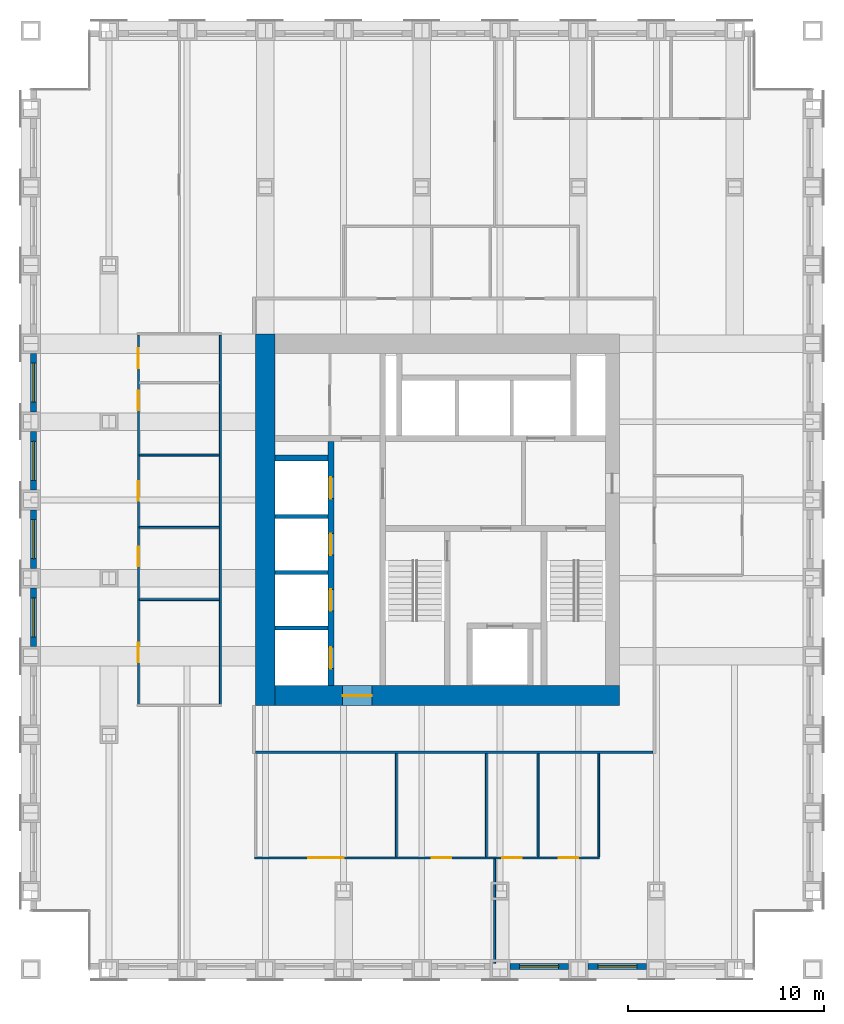
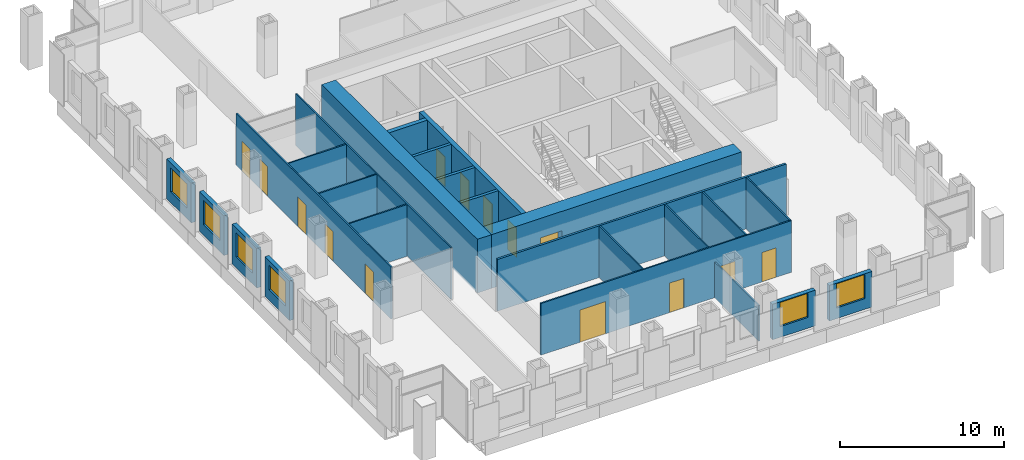
# One storey, part 8 of 12: 25 walls, 14 doors, 6 windows, 20 openings.
"""IFC4 building model written with IfcOpenShell, lengths in metres."""

from ifc_helpers import new_model, si_unit, direction, frame, frame_2d, origin, place, context, subcontext, project, spatial, rectangle, extrude, material, layer, layer_set, type_object, element, fill, save


model = new_model("IFC4")

# Units and contexts
model_context = context("Model", 3, precision=1e-05, world=origin(), true_north=direction((0.0, 1.0)))
body_context = subcontext(model_context, "Body", "Model", "MODEL_VIEW")
ifc_project = project(units=[si_unit("LENGTHUNIT", "METRE"), si_unit("AREAUNIT", "SQUARE_METRE"), si_unit("VOLUMEUNIT", "CUBIC_METRE"), si_unit("PLANEANGLEUNIT", "RADIAN"), si_unit("MASSUNIT", "GRAM", prefix="KILO")], contexts=[model_context])

# Site, building, storey
site_placement = place(None, origin())
site = spatial("IfcSite", under=ifc_project, at=site_placement, CompositionType="ELEMENT")
building_placement = place(site_placement, origin())
building = spatial("IfcBuilding", under=site, at=building_placement, Name="Rimbunsela Tower", CompositionType="ELEMENT")
storey_placement = place(building_placement, frame((0.0, 0.0, 167.800048828125)))
storey = spatial("IfcBuildingStorey", under=building, at=storey_placement, Name="L40", CompositionType="ELEMENT", Elevation=167.800048828125)

# Wall, openings, doors
ifc_material_1 = material(Name="Concrete fc' 80 MPa", Category="concrete")
ifc_layer_1 = layer(ifc_material_1, 0.300048828125)
ifc_layer_set_1 = layer_set([ifc_layer_1], Name="Core internal wall 300")
wall_type_1 = type_object("IfcWallType", Name="Core internal wall 300", PredefinedType="SHEAR", material=ifc_layer_set_1)
wall_1_placement = place(storey_placement, frame((21.35009765625, 18.5, -0.150146484375), z_axis=(0.0, 0.0, 1.0), x_axis=(0.0, 1.0, 0.0)))
wall_1 = element("IfcWall", 1, at=wall_1_placement, inside=storey, type_object=wall_type_1, Name="Lift shaft front west", PredefinedType="SHEAR", context=body_context, shape_type="SweptSolid", body=[
    extrude(rectangle(XDim=12.5, YDim=0.300048828125, at=frame_2d((6.25, 0.0))), origin(), (0.0, 0.0, 1.0), 4.0),
])
opening_1_placement = place(wall_1_placement, frame((0.875, 0.0, 0.14990234375)))
opening_1 = element("IfcOpeningElement", 2, at=opening_1_placement, cuts=wall_1, Name="Opening LD1", PredefinedType="OPENING", context=body_context, shape_type="SweptSolid", body=[
    extrude(rectangle(XDim=1.10009765625, YDim=2.199951171875, at=frame_2d((0.550048828125, 1.10009765625))), frame((0.0, 0.159912109375, 0.0), z_axis=(0.0, -1.0, 0.0), x_axis=(1.0, 0.0, 0.0)), (0.0, 0.0, 1.0), 0.320068359375),
])
opening_2_placement = place(wall_1_placement, frame((3.824951171875, 0.0, 0.14990234375)))
opening_2 = element("IfcOpeningElement", 3, at=opening_2_placement, cuts=wall_1, Name="Opening LD1", PredefinedType="OPENING", context=body_context, shape_type="SweptSolid", body=[
    extrude(rectangle(XDim=1.10009765625, YDim=2.199951171875, at=frame_2d((0.550048828125, 1.10009765625))), frame((0.0, 0.159912109375, 0.0), z_axis=(0.0, -1.0, 0.0), x_axis=(1.0, 0.0, 0.0)), (0.0, 0.0, 1.0), 0.320068359375),
])
opening_3_placement = place(wall_1_placement, frame((6.675048828125, 0.0, 0.14990234375)))
opening_3 = element("IfcOpeningElement", 4, at=opening_3_placement, cuts=wall_1, Name="Opening LD1", PredefinedType="OPENING", context=body_context, shape_type="SweptSolid", body=[
    extrude(rectangle(XDim=1.10009765625, YDim=2.199951171875, at=frame_2d((0.550048828125, 1.10009765625))), frame((0.0, 0.159912109375, 0.0), z_axis=(0.0, -1.0, 0.0), x_axis=(1.0, 0.0, 0.0)), (0.0, 0.0, 1.0), 0.320068359375),
])
opening_4_placement = place(wall_1_placement, frame((9.574951171875, 0.0, 0.14990234375)))
opening_4 = element("IfcOpeningElement", 5, at=opening_4_placement, cuts=wall_1, Name="Opening LD1", PredefinedType="OPENING", context=body_context, shape_type="SweptSolid", body=[
    extrude(rectangle(XDim=1.10009765625, YDim=2.199951171875, at=frame_2d((0.550048828125, 1.10009765625))), frame((0.0, 0.159912109375, 0.0), z_axis=(0.0, -1.0, 0.0), x_axis=(1.0, 0.0, 0.0)), (0.0, 0.0, 1.0), 0.320068359375),
])
ifc_material_2 = material(Name="Steel door, fire rated", Category="steel")
door_type_1 = type_object("IfcDoorType", Name="Lift landing door 1100", OperationType="DOUBLE_DOOR_SLIDING", PredefinedType="DOOR", material=ifc_material_2)
door_1_placement = place(opening_1_placement, origin())
door_1 = element("IfcDoor", 6, at=door_1_placement, inside=storey, type_object=door_type_1, Name="Lift landing door HL1", OperationType="DOUBLE_DOOR_SLIDING", OverallHeight=2.199951171875, OverallWidth=1.10009765625, PredefinedType="DOOR", context=body_context, shape_type="SweptSolid", body=[
    extrude(rectangle(XDim=1.10009765625, YDim=2.199951171875, at=frame_2d((0.550048828125, 1.10009765625))), frame((0.0, 0.02490234375, 0.0), z_axis=(0.0, -1.0, 0.0), x_axis=(1.0, 0.0, 0.0)), (0.0, 0.0, 1.0), 0.050048828125),
])
fill(opening_1, door_1)
door_2_placement = place(opening_2_placement, origin())
door_2 = element("IfcDoor", 7, at=door_2_placement, inside=storey, type_object=door_type_1, Name="Lift landing door HL2", OperationType="DOUBLE_DOOR_SLIDING", OverallHeight=2.199951171875, OverallWidth=1.10009765625, PredefinedType="DOOR", context=body_context, shape_type="SweptSolid", body=[
    extrude(rectangle(XDim=1.10009765625, YDim=2.199951171875, at=frame_2d((0.550048828125, 1.10009765625))), frame((0.0, 0.02490234375, 0.0), z_axis=(0.0, -1.0, 0.0), x_axis=(1.0, 0.0, 0.0)), (0.0, 0.0, 1.0), 0.050048828125),
])
fill(opening_2, door_2)
door_3_placement = place(opening_3_placement, origin())
door_3 = element("IfcDoor", 8, at=door_3_placement, inside=storey, type_object=door_type_1, Name="Lift landing door HL3", OperationType="DOUBLE_DOOR_SLIDING", OverallHeight=2.199951171875, OverallWidth=1.10009765625, PredefinedType="DOOR", context=body_context, shape_type="SweptSolid", body=[
    extrude(rectangle(XDim=1.10009765625, YDim=2.199951171875, at=frame_2d((0.550048828125, 1.10009765625))), frame((0.0, 0.02490234375, 0.0), z_axis=(0.0, -1.0, 0.0), x_axis=(1.0, 0.0, 0.0)), (0.0, 0.0, 1.0), 0.050048828125),
])
fill(opening_3, door_3)
door_4_placement = place(opening_4_placement, origin())
door_4 = element("IfcDoor", 9, at=door_4_placement, inside=storey, type_object=door_type_1, Name="Lift landing door HL4", OperationType="DOUBLE_DOOR_SLIDING", OverallHeight=2.199951171875, OverallWidth=1.10009765625, PredefinedType="DOOR", context=body_context, shape_type="SweptSolid", body=[
    extrude(rectangle(XDim=1.10009765625, YDim=2.199951171875, at=frame_2d((0.550048828125, 1.10009765625))), frame((0.0, 0.02490234375, 0.0), z_axis=(0.0, -1.0, 0.0), x_axis=(1.0, 0.0, 0.0)), (0.0, 0.0, 1.0), 0.050048828125),
])
fill(opening_4, door_4)

# Walls
wall_2_placement = place(storey_placement, frame((18.5, 30.14990234375, -0.150146484375), z_axis=(0.0, 0.0, 1.0), x_axis=(1.0, 0.0, 0.0)))
element("IfcWall", 10, at=wall_2_placement, inside=storey, type_object=wall_type_1, Name="Lift shaft rear west", PredefinedType="SHEAR", context=body_context, shape_type="SweptSolid", body=[
    extrude(rectangle(XDim=2.699951171875, YDim=0.300048828125, at=frame_2d((1.35009765625, 0.0))), origin(), (0.0, 0.0, 1.0), 4.0),
])
ifc_material_3 = material(Name="Concrete fc' 80 MPa", Category="concrete")
ifc_layer_2 = layer(ifc_material_3, 1.0)
ifc_layer_set_2 = layer_set([ifc_layer_2], Name="Core wall 1000")
wall_type_2 = type_object("IfcWallType", Name="Core wall 1000", PredefinedType="SHEAR", material=ifc_layer_set_2)
wall_3_placement = place(storey_placement, frame((18.0, 17.5, -0.150146484375), z_axis=(0.0, 0.0, 1.0), x_axis=(0.0, 1.0, 0.0)))
element("IfcWall", 11, at=wall_3_placement, inside=storey, type_object=wall_type_2, Name="Core wall west", PredefinedType="SHEAR", context=body_context, shape_type="SweptSolid", body=[
    extrude(rectangle(XDim=19.0, YDim=1.0, at=frame_2d((9.5, 0.0))), origin(), (0.0, 0.0, 1.0), 4.0),
])

# Wall, opening, door
wall_4_placement = place(storey_placement, frame((18.5, 18.0, -0.150146484375), z_axis=(0.0, 0.0, 1.0), x_axis=(1.0, 0.0, 0.0)))
wall_4 = element("IfcWall", 12, at=wall_4_placement, inside=storey, type_object=wall_type_2, Name="Core wall south", PredefinedType="SHEAR", context=body_context, shape_type="SweptSolid", body=[
    extrude(rectangle(XDim=17.60009765625, YDim=1.0, at=frame_2d((8.800048828125, 0.0))), origin(), (0.0, 0.0, 1.0), 4.0),
])
opening_5_placement = place(wall_4_placement, frame((3.449951171875, 0.0, 0.14990234375)))
opening_5 = element("IfcOpeningElement", 13, at=opening_5_placement, cuts=wall_4, Name="Opening D03", PredefinedType="OPENING", context=body_context, shape_type="SweptSolid", body=[
    extrude(rectangle(XDim=1.5, YDim=2.39990234375, at=frame_2d((0.75, 1.199951171875))), frame((0.0, 0.510009765625, 0.0), z_axis=(0.0, -1.0, 0.0), x_axis=(1.0, 0.0, 0.0)), (0.0, 0.0, 1.0), 1.02001953125),
])
ifc_material_4 = material(Name="Steel door, fire rated", Category="steel")
door_type_2 = type_object("IfcDoorType", Name="Core lobby door 1500", OperationType="DOUBLE_DOOR_DOUBLE_SWING", PredefinedType="DOOR", material=ifc_material_4)
door_5_placement = place(opening_5_placement, origin())
door_5 = element("IfcDoor", 14, at=door_5_placement, inside=storey, type_object=door_type_2, Name="Core door south", OperationType="DOUBLE_DOOR_DOUBLE_SWING", OverallHeight=2.39990234375, OverallWidth=1.5, PredefinedType="DOOR", context=body_context, shape_type="SweptSolid", body=[
    extrude(rectangle(XDim=1.5, YDim=2.39990234375, at=frame_2d((0.75, 1.199951171875))), frame((0.0, 0.02490234375, 0.0), z_axis=(0.0, -1.0, 0.0), x_axis=(1.0, 0.0, 0.0)), (0.0, 0.0, 1.0), 0.050048828125),
])
fill(opening_5, door_5)

# Walls
ifc_material_5 = material(Name="Concrete blockwork", Category="masonry")
ifc_layer_3 = layer(ifc_material_5, 0.199951171875)
ifc_layer_set_3 = layer_set([ifc_layer_3], Name="Lift shaft wall 200")
wall_type_3 = type_object("IfcWallType", Name="Lift shaft wall 200", PredefinedType="SOLIDWALL", material=ifc_layer_set_3)
for number, where, z_axis, x_axis, name in (
    (15, (18.5, 21.449951171875, -0.150146484375), (0.0, 0.0, 1.0), (1.0, 0.0, 0.0), "Lift shaft separation"),
    (16, (18.5, 24.300048828125, -0.150146484375), (0.0, 0.0, 1.0), (1.0, 0.0, 0.0), "Lift shaft separation"),
    (17, (18.5, 27.14990234375, -0.150146484375), (0.0, 0.0, 1.0), (1.0, 0.0, 0.0), "Lift shaft separation"),
):
    element("IfcWall", number, at=place(storey_placement, frame(where, z_axis=z_axis, x_axis=x_axis)), inside=storey, type_object=wall_type_3, Name=name, PredefinedType="SOLIDWALL", context=body_context, shape_type="SweptSolid", body=[
        extrude(rectangle(XDim=2.699951171875, YDim=0.199951171875, at=frame_2d((1.35009765625, 0.0))), origin(), (0.0, 0.0, 1.0), 4.0),
    ])

# Wall, openings, doors
ifc_material_6 = material(Name="Gypsum board on steel studs", Category="steel")
ifc_layer_4 = layer(ifc_material_6, 0.10009765625)
ifc_layer_set_4 = layer_set([ifc_layer_4], Name="Office partition 100")
wall_type_4 = type_object("IfcWallType", Name="Office partition 100", PredefinedType="PARTITIONING", material=ifc_layer_set_4)
wall_5_placement = place(storey_placement, frame((17.449951171875, 9.699951171875, 0.0), z_axis=(0.0, 0.0, 1.0), x_axis=(1.0, 0.0, 0.0)))
wall_5 = element("IfcWall", 18, at=wall_5_placement, inside=storey, type_object=wall_type_4, Name="Office partition", PredefinedType="PARTITIONING", context=body_context, shape_type="SweptSolid", body=[
    extrude(rectangle(XDim=17.650146484375, YDim=0.10009765625, at=frame_2d((8.8251953125, 0.0))), origin(), (0.0, 0.0, 1.0), 3.849853515625),
])
opening_6_placement = place(wall_5_placement, frame((2.75, 0.0, 0.0)))
opening_6 = element("IfcOpeningElement", 19, at=opening_6_placement, cuts=wall_5, Name="Opening D18", PredefinedType="OPENING", context=body_context, shape_type="SweptSolid", body=[
    extrude(rectangle(XDim=1.800048828125, YDim=2.39990234375, at=frame_2d((0.89990234375, 1.199951171875))), frame((0.0, 0.06005859375, 0.0), z_axis=(0.0, -1.0, 0.0), x_axis=(1.0, 0.0, 0.0)), (0.0, 0.0, 1.0), 0.1201171875),
])
opening_7_placement = place(wall_5_placement, frame((9.050048828125, 0.0, 0.0)))
opening_7 = element("IfcOpeningElement", 20, at=opening_7_placement, cuts=wall_5, Name="Opening D16", PredefinedType="OPENING", context=body_context, shape_type="SweptSolid", body=[
    extrude(rectangle(XDim=1.0, YDim=2.199951171875, at=frame_2d((0.5, 1.10009765625))), frame((0.0, 0.06005859375, 0.0), z_axis=(0.0, -1.0, 0.0), x_axis=(1.0, 0.0, 0.0)), (0.0, 0.0, 1.0), 0.1201171875),
])
opening_8_placement = place(wall_5_placement, frame((12.675048828125, 0.0, 0.0)))
opening_8 = element("IfcOpeningElement", 21, at=opening_8_placement, cuts=wall_5, Name="Opening D16", PredefinedType="OPENING", context=body_context, shape_type="SweptSolid", body=[
    extrude(rectangle(XDim=1.0, YDim=2.199951171875, at=frame_2d((0.5, 1.10009765625))), frame((0.0, 0.06005859375, 0.0), z_axis=(0.0, -1.0, 0.0), x_axis=(1.0, 0.0, 0.0)), (0.0, 0.0, 1.0), 0.1201171875),
])
opening_9_placement = place(wall_5_placement, frame((15.550048828125, 0.0, 0.0)))
opening_9 = element("IfcOpeningElement", 22, at=opening_9_placement, cuts=wall_5, Name="Opening D16", PredefinedType="OPENING", context=body_context, shape_type="SweptSolid", body=[
    extrude(rectangle(XDim=1.0, YDim=2.199951171875, at=frame_2d((0.5, 1.10009765625))), frame((0.0, 0.06005859375, 0.0), z_axis=(0.0, -1.0, 0.0), x_axis=(1.0, 0.0, 0.0)), (0.0, 0.0, 1.0), 0.1201171875),
])
ifc_material_7 = material(Name="Glazed aluminium door", Category="aluminium")
door_type_3 = type_object("IfcDoorType", Name="Boardroom door 1800 glazed", OperationType="DOUBLE_DOOR_DOUBLE_SWING", PredefinedType="DOOR", material=ifc_material_7)
door_6_placement = place(opening_6_placement, origin())
door_6 = element("IfcDoor", 23, at=door_6_placement, inside=storey, type_object=door_type_3, Name="Boardroom door", OperationType="DOUBLE_DOOR_DOUBLE_SWING", OverallHeight=2.39990234375, OverallWidth=1.800048828125, PredefinedType="DOOR", context=body_context, shape_type="SweptSolid", body=[
    extrude(rectangle(XDim=1.800048828125, YDim=2.39990234375, at=frame_2d((0.89990234375, 1.199951171875))), frame((0.0, 0.02490234375, 0.0), z_axis=(0.0, -1.0, 0.0), x_axis=(1.0, 0.0, 0.0)), (0.0, 0.0, 1.0), 0.050048828125),
])
fill(opening_6, door_6)
ifc_material_8 = material(Name="Timber door", Category="wood")
door_type_4 = type_object("IfcDoorType", Name="Office door 1000", OperationType="SINGLE_SWING_LEFT", PredefinedType="DOOR", material=ifc_material_8)
door_7_placement = place(opening_7_placement, origin())
door_7 = element("IfcDoor", 24, at=door_7_placement, inside=storey, type_object=door_type_4, Name="Office door", OperationType="SINGLE_SWING_LEFT", OverallHeight=2.199951171875, OverallWidth=1.0, PredefinedType="DOOR", context=body_context, shape_type="SweptSolid", body=[
    extrude(rectangle(XDim=1.0, YDim=2.199951171875, at=frame_2d((0.5, 1.10009765625))), frame((0.0, 0.02490234375, 0.0), z_axis=(0.0, -1.0, 0.0), x_axis=(1.0, 0.0, 0.0)), (0.0, 0.0, 1.0), 0.050048828125),
])
fill(opening_7, door_7)
door_8_placement = place(opening_8_placement, origin())
door_8 = element("IfcDoor", 25, at=door_8_placement, inside=storey, type_object=door_type_4, Name="Office door", OperationType="SINGLE_SWING_LEFT", OverallHeight=2.199951171875, OverallWidth=1.0, PredefinedType="DOOR", context=body_context, shape_type="SweptSolid", body=[
    extrude(rectangle(XDim=1.0, YDim=2.199951171875, at=frame_2d((0.5, 1.10009765625))), frame((0.0, 0.02490234375, 0.0), z_axis=(0.0, -1.0, 0.0), x_axis=(1.0, 0.0, 0.0)), (0.0, 0.0, 1.0), 0.050048828125),
])
fill(opening_8, door_8)
door_9_placement = place(opening_9_placement, origin())
door_9 = element("IfcDoor", 26, at=door_9_placement, inside=storey, type_object=door_type_4, Name="Office door", OperationType="SINGLE_SWING_LEFT", OverallHeight=2.199951171875, OverallWidth=1.0, PredefinedType="DOOR", context=body_context, shape_type="SweptSolid", body=[
    extrude(rectangle(XDim=1.0, YDim=2.199951171875, at=frame_2d((0.5, 1.10009765625))), frame((0.0, 0.02490234375, 0.0), z_axis=(0.0, -1.0, 0.0), x_axis=(1.0, 0.0, 0.0)), (0.0, 0.0, 1.0), 0.050048828125),
])
fill(opening_9, door_9)

# Walls
for number, where, z_axis, x_axis, name in (
    (27, (11.550048828125, 22.89990234375, 0.0), (0.0, 0.0, 1.0), (1.0, 0.0, 0.0), "Office partition"),
    (28, (11.550048828125, 26.60009765625, 0.0), (0.0, 0.0, 1.0), (1.0, 0.0, 0.0), "Office partition"),
    (29, (11.550048828125, 30.300048828125, 0.0), (0.0, 0.0, 1.0), (1.0, 0.0, 0.0), "Office partition"),
):
    element("IfcWall", number, at=place(storey_placement, frame(where, z_axis=z_axis, x_axis=x_axis)), inside=storey, type_object=wall_type_4, Name=name, PredefinedType="PARTITIONING", context=body_context, shape_type="SweptSolid", body=[
        extrude(rectangle(XDim=4.099853515625, YDim=0.10009765625, at=frame_2d((2.0498046875, 0.0))), origin(), (0.0, 0.0, 1.0), 3.849853515625),
    ])

# Wall, openings, doors
wall_6_placement = place(storey_placement, frame((11.5, 17.550048828125, 0.0), z_axis=(0.0, 0.0, 1.0), x_axis=(0.0, 1.0, 0.0)))
wall_6 = element("IfcWall", 30, at=wall_6_placement, inside=storey, type_object=wall_type_4, Name="Office partition", PredefinedType="PARTITIONING", context=body_context, shape_type="SweptSolid", body=[
    extrude(rectangle(XDim=18.89990234375, YDim=0.10009765625, at=frame_2d((9.449951171875, 0.0))), origin(), (0.0, 0.0, 1.0), 3.849853515625),
])
opening_10_placement = place(wall_6_placement, frame((2.14990234375, 0.0, 0.0)))
opening_10 = element("IfcOpeningElement", 31, at=opening_10_placement, cuts=wall_6, Name="Opening D17", PredefinedType="OPENING", context=body_context, shape_type="SweptSolid", body=[
    extrude(rectangle(XDim=1.0, YDim=2.199951171875, at=frame_2d((0.5, 1.10009765625))), frame((0.0, 0.06005859375, 0.0), z_axis=(0.0, -1.0, 0.0), x_axis=(1.0, 0.0, 0.0)), (0.0, 0.0, 1.0), 0.1201171875),
])
opening_11_placement = place(wall_6_placement, frame((7.050048828125, 0.0, 0.0)))
opening_11 = element("IfcOpeningElement", 32, at=opening_11_placement, cuts=wall_6, Name="Opening D17", PredefinedType="OPENING", context=body_context, shape_type="SweptSolid", body=[
    extrude(rectangle(XDim=1.0, YDim=2.199951171875, at=frame_2d((0.5, 1.10009765625))), frame((0.0, 0.06005859375, 0.0), z_axis=(0.0, -1.0, 0.0), x_axis=(1.0, 0.0, 0.0)), (0.0, 0.0, 1.0), 0.1201171875),
])
opening_12_placement = place(wall_6_placement, frame((10.39990234375, 0.0, 0.0)))
opening_12 = element("IfcOpeningElement", 33, at=opening_12_placement, cuts=wall_6, Name="Opening D17", PredefinedType="OPENING", context=body_context, shape_type="SweptSolid", body=[
    extrude(rectangle(XDim=1.0, YDim=2.199951171875, at=frame_2d((0.5, 1.10009765625))), frame((0.0, 0.06005859375, 0.0), z_axis=(0.0, -1.0, 0.0), x_axis=(1.0, 0.0, 0.0)), (0.0, 0.0, 1.0), 0.1201171875),
])
opening_13_placement = place(wall_6_placement, frame((15.050048828125, 0.0, 0.0)))
opening_13 = element("IfcOpeningElement", 34, at=opening_13_placement, cuts=wall_6, Name="Opening D17", PredefinedType="OPENING", context=body_context, shape_type="SweptSolid", body=[
    extrude(rectangle(XDim=1.0, YDim=2.199951171875, at=frame_2d((0.5, 1.10009765625))), frame((0.0, 0.06005859375, 0.0), z_axis=(0.0, -1.0, 0.0), x_axis=(1.0, 0.0, 0.0)), (0.0, 0.0, 1.0), 0.1201171875),
])
opening_14_placement = place(wall_6_placement, frame((17.199951171875, 0.0, 0.0)))
opening_14 = element("IfcOpeningElement", 35, at=opening_14_placement, cuts=wall_6, Name="Opening D16", PredefinedType="OPENING", context=body_context, shape_type="SweptSolid", body=[
    extrude(rectangle(XDim=1.0, YDim=2.199951171875, at=frame_2d((0.5, 1.10009765625))), frame((0.0, 0.06005859375, 0.0), z_axis=(0.0, -1.0, 0.0), x_axis=(1.0, 0.0, 0.0)), (0.0, 0.0, 1.0), 0.1201171875),
])
ifc_material_9 = material(Name="Glazed aluminium door", Category="aluminium")
door_type_5 = type_object("IfcDoorType", Name="Meeting room door 1000 glazed", OperationType="SINGLE_SWING_RIGHT", PredefinedType="DOOR", material=ifc_material_9)
door_10_placement = place(opening_10_placement, origin())
door_10 = element("IfcDoor", 36, at=door_10_placement, inside=storey, type_object=door_type_5, Name="Meeting room door", OperationType="SINGLE_SWING_RIGHT", OverallHeight=2.199951171875, OverallWidth=1.0, PredefinedType="DOOR", context=body_context, shape_type="SweptSolid", body=[
    extrude(rectangle(XDim=1.0, YDim=2.199951171875, at=frame_2d((0.5, 1.10009765625))), frame((0.0, 0.02490234375, 0.0), z_axis=(0.0, -1.0, 0.0), x_axis=(1.0, 0.0, 0.0)), (0.0, 0.0, 1.0), 0.050048828125),
])
fill(opening_10, door_10)
door_11_placement = place(opening_11_placement, origin())
door_11 = element("IfcDoor", 37, at=door_11_placement, inside=storey, type_object=door_type_5, Name="Meeting room door", OperationType="SINGLE_SWING_RIGHT", OverallHeight=2.199951171875, OverallWidth=1.0, PredefinedType="DOOR", context=body_context, shape_type="SweptSolid", body=[
    extrude(rectangle(XDim=1.0, YDim=2.199951171875, at=frame_2d((0.5, 1.10009765625))), frame((0.0, 0.02490234375, 0.0), z_axis=(0.0, -1.0, 0.0), x_axis=(1.0, 0.0, 0.0)), (0.0, 0.0, 1.0), 0.050048828125),
])
fill(opening_11, door_11)
door_12_placement = place(opening_12_placement, origin())
door_12 = element("IfcDoor", 38, at=door_12_placement, inside=storey, type_object=door_type_5, Name="Meeting room door", OperationType="SINGLE_SWING_RIGHT", OverallHeight=2.199951171875, OverallWidth=1.0, PredefinedType="DOOR", context=body_context, shape_type="SweptSolid", body=[
    extrude(rectangle(XDim=1.0, YDim=2.199951171875, at=frame_2d((0.5, 1.10009765625))), frame((0.0, 0.02490234375, 0.0), z_axis=(0.0, -1.0, 0.0), x_axis=(1.0, 0.0, 0.0)), (0.0, 0.0, 1.0), 0.050048828125),
])
fill(opening_12, door_12)
door_13_placement = place(opening_13_placement, origin())
door_13 = element("IfcDoor", 39, at=door_13_placement, inside=storey, type_object=door_type_5, Name="Meeting room door", OperationType="SINGLE_SWING_RIGHT", OverallHeight=2.199951171875, OverallWidth=1.0, PredefinedType="DOOR", context=body_context, shape_type="SweptSolid", body=[
    extrude(rectangle(XDim=1.0, YDim=2.199951171875, at=frame_2d((0.5, 1.10009765625))), frame((0.0, 0.02490234375, 0.0), z_axis=(0.0, -1.0, 0.0), x_axis=(1.0, 0.0, 0.0)), (0.0, 0.0, 1.0), 0.050048828125),
])
fill(opening_13, door_13)
door_14_placement = place(opening_14_placement, origin())
door_14 = element("IfcDoor", 40, at=door_14_placement, inside=storey, type_object=door_type_4, Name="Office door", OperationType="SINGLE_SWING_LEFT", OverallHeight=2.199951171875, OverallWidth=1.0, PredefinedType="DOOR", context=body_context, shape_type="SweptSolid", body=[
    extrude(rectangle(XDim=1.0, YDim=2.199951171875, at=frame_2d((0.5, 1.10009765625))), frame((0.0, 0.02490234375, 0.0), z_axis=(0.0, -1.0, 0.0), x_axis=(1.0, 0.0, 0.0)), (0.0, 0.0, 1.0), 0.050048828125),
])
fill(opening_14, door_14)

# Walls
wall_7_placement = place(storey_placement, frame((15.699951171875, 17.550048828125, 0.0), z_axis=(0.0, 0.0, 1.0), x_axis=(0.0, 1.0, 0.0)))
element("IfcWall", 41, at=wall_7_placement, inside=storey, type_object=wall_type_4, Name="Office partition", PredefinedType="PARTITIONING", context=body_context, shape_type="SweptSolid", body=[
    extrude(rectangle(XDim=18.89990234375, YDim=0.10009765625, at=frame_2d((9.449951171875, 0.0))), origin(), (0.0, 0.0, 1.0), 3.849853515625),
])
for number, where, z_axis, x_axis, name in (
    (42, (24.699951171875, 9.75, 0.0), (0.0, 0.0, 1.0), (0.0, 1.0, 0.0), "Office partition"),
    (43, (29.300048828125, 9.75, 0.0), (0.0, 0.0, 1.0), (0.0, 1.0, 0.0), "Office partition"),
    (44, (31.949951171875, 9.75, 0.0), (0.0, 0.0, 1.0), (0.0, 1.0, 0.0), "Office partition"),
    (45, (35.050048828125, 9.75, 0.0), (0.0, 0.0, 1.0), (0.0, 1.0, 0.0), "Office partition"),
):
    element("IfcWall", number, at=place(storey_placement, frame(where, z_axis=z_axis, x_axis=x_axis)), inside=storey, type_object=wall_type_4, Name=name, PredefinedType="PARTITIONING", context=body_context, shape_type="SweptSolid", body=[
        extrude(rectangle(XDim=5.27490234375, YDim=0.10009765625, at=frame_2d((2.637451171875, 0.0))), origin(), (0.0, 0.0, 1.0), 3.849853515625),
    ])
wall_8_placement = place(storey_placement, frame((29.72509765625, 9.64990234375, 0.0), z_axis=(0.0, 0.0, 1.0), x_axis=(0.0, -1.0, 0.0)))
element("IfcWall", 46, at=wall_8_placement, inside=storey, type_object=wall_type_4, Name="Office partition", PredefinedType="PARTITIONING", context=body_context, shape_type="SweptSolid", body=[
    extrude(rectangle(XDim=5.349853515625, YDim=0.10009765625, at=frame_2d((2.6748046875, 0.0))), origin(), (0.0, 0.0, 1.0), 2.64990234375),
])

# Wall, opening, window
ifc_material_10 = material(Name="Precast concrete fc' 35 MPa", Category="concrete")
ifc_layer_5 = layer(ifc_material_10, 0.300048828125)
ifc_layer_set_5 = layer_set([ifc_layer_5], Name="Precast concrete fc' 35 MPa")
wall_type_5 = type_object("IfcWallType", Name="Precast facade panel 300", PredefinedType="ELEMENTEDWALL", material=ifc_layer_set_5)
wall_9_placement = place(storey_placement, frame((30.5, 4.14990234375, 0.0), z_axis=(0.0, 0.0, 1.0), x_axis=(1.0, 0.0, 0.0)))
wall_9 = element("IfcWall", 47, at=wall_9_placement, inside=storey, type_object=wall_type_5, Name="Facade panel S L40", PredefinedType="ELEMENTEDWALL", context=body_context, shape_type="SweptSolid", body=[
    extrude(rectangle(XDim=3.0, YDim=0.300048828125, at=frame_2d((1.5, 0.0))), origin(), (0.0, 0.0, 1.0), 2.64990234375),
])
opening_15_placement = place(wall_9_placement, frame((0.5, 0.0, 0.800048828125)))
opening_15 = element("IfcOpeningElement", 48, at=opening_15_placement, cuts=wall_9, Name="Opening W7", PredefinedType="OPENING", context=body_context, shape_type="SweptSolid", body=[
    extrude(rectangle(XDim=2.0, YDim=1.800048828125, at=frame_2d((1.0, 0.89990234375))), frame((0.0, 0.159912109375, 0.0), z_axis=(0.0, -1.0, 0.0), x_axis=(1.0, 0.0, 0.0)), (0.0, 0.0, 1.0), 0.320068359375),
])
ifc_material_11 = material(Name="Clear glass in aluminium frame", Category="aluminium")
window_type = type_object("IfcWindowType", Name="Window W7 2000x1800", PartitioningType="DOUBLE_PANEL_VERTICAL", PredefinedType="WINDOW", material=ifc_material_11)
window_1_placement = place(opening_15_placement, origin())
window_1 = element("IfcWindow", 49, at=window_1_placement, inside=storey, type_object=window_type, Name="Window L40", OverallHeight=1.800048828125, OverallWidth=2.0, PartitioningType="SINGLE_PANEL", PredefinedType="WINDOW", context=body_context, shape_type="SweptSolid", body=[
    extrude(rectangle(XDim=2.0, YDim=1.800048828125, at=frame_2d((1.0, 0.89990234375))), frame((0.0, 0.030029296875, 0.0), z_axis=(0.0, -1.0, 0.0), x_axis=(1.0, 0.0, 0.0)), (0.0, 0.0, 1.0), 0.06005859375),
])
fill(opening_15, window_1)

wall_10_placement = place(storey_placement, frame((34.5, 4.14990234375, 0.0), z_axis=(0.0, 0.0, 1.0), x_axis=(1.0, 0.0, 0.0)))
wall_10 = element("IfcWall", 50, at=wall_10_placement, inside=storey, type_object=wall_type_5, Name="Facade panel S L40", PredefinedType="ELEMENTEDWALL", context=body_context, shape_type="SweptSolid", body=[
    extrude(rectangle(XDim=3.0, YDim=0.300048828125, at=frame_2d((1.5, 0.0))), origin(), (0.0, 0.0, 1.0), 2.64990234375),
])
opening_16_placement = place(wall_10_placement, frame((0.5, 0.0, 0.800048828125)))
opening_16 = element("IfcOpeningElement", 51, at=opening_16_placement, cuts=wall_10, Name="Opening W7", PredefinedType="OPENING", context=body_context, shape_type="SweptSolid", body=[
    extrude(rectangle(XDim=2.0, YDim=1.800048828125, at=frame_2d((1.0, 0.89990234375))), frame((0.0, 0.159912109375, 0.0), z_axis=(0.0, -1.0, 0.0), x_axis=(1.0, 0.0, 0.0)), (0.0, 0.0, 1.0), 0.320068359375),
])
window_2_placement = place(opening_16_placement, origin())
window_2 = element("IfcWindow", 52, at=window_2_placement, inside=storey, type_object=window_type, Name="Window L40", OverallHeight=1.800048828125, OverallWidth=2.0, PartitioningType="SINGLE_PANEL", PredefinedType="WINDOW", context=body_context, shape_type="SweptSolid", body=[
    extrude(rectangle(XDim=2.0, YDim=1.800048828125, at=frame_2d((1.0, 0.89990234375))), frame((0.0, 0.030029296875, 0.0), z_axis=(0.0, -1.0, 0.0), x_axis=(1.0, 0.0, 0.0)), (0.0, 0.0, 1.0), 0.06005859375),
])
fill(opening_16, window_2)

wall_11_placement = place(storey_placement, frame((6.14990234375, 23.5, 0.0), z_axis=(0.0, 0.0, 1.0), x_axis=(0.0, -1.0, 0.0)))
wall_11 = element("IfcWall", 53, at=wall_11_placement, inside=storey, type_object=wall_type_5, Name="Facade panel W L40", PredefinedType="ELEMENTEDWALL", context=body_context, shape_type="SweptSolid", body=[
    extrude(rectangle(XDim=3.0, YDim=0.300048828125, at=frame_2d((1.5, 0.0))), origin(), (0.0, 0.0, 1.0), 2.949951171875),
])
opening_17_placement = place(wall_11_placement, frame((0.5, 0.0, 0.800048828125)))
opening_17 = element("IfcOpeningElement", 54, at=opening_17_placement, cuts=wall_11, Name="Opening W7", PredefinedType="OPENING", context=body_context, shape_type="SweptSolid", body=[
    extrude(rectangle(XDim=2.0, YDim=1.800048828125, at=frame_2d((1.0, 0.89990234375))), frame((0.0, 0.159912109375, 0.0), z_axis=(0.0, -1.0, 0.0), x_axis=(1.0, 0.0, 0.0)), (0.0, 0.0, 1.0), 0.320068359375),
])
window_3_placement = place(opening_17_placement, origin())
window_3 = element("IfcWindow", 55, at=window_3_placement, inside=storey, type_object=window_type, Name="Window L40", OverallHeight=1.800048828125, OverallWidth=2.0, PartitioningType="SINGLE_PANEL", PredefinedType="WINDOW", context=body_context, shape_type="SweptSolid", body=[
    extrude(rectangle(XDim=2.0, YDim=1.800048828125, at=frame_2d((1.0, 0.89990234375))), frame((0.0, 0.030029296875, 0.0), z_axis=(0.0, -1.0, 0.0), x_axis=(1.0, 0.0, 0.0)), (0.0, 0.0, 1.0), 0.06005859375),
])
fill(opening_17, window_3)

wall_12_placement = place(storey_placement, frame((6.14990234375, 27.5, 0.0), z_axis=(0.0, 0.0, 1.0), x_axis=(0.0, -1.0, 0.0)))
wall_12 = element("IfcWall", 56, at=wall_12_placement, inside=storey, type_object=wall_type_5, Name="Facade panel W L40", PredefinedType="ELEMENTEDWALL", context=body_context, shape_type="SweptSolid", body=[
    extrude(rectangle(XDim=3.0, YDim=0.300048828125, at=frame_2d((1.5, 0.0))), origin(), (0.0, 0.0, 1.0), 2.949951171875),
])
opening_18_placement = place(wall_12_placement, frame((0.5, 0.0, 0.800048828125)))
opening_18 = element("IfcOpeningElement", 57, at=opening_18_placement, cuts=wall_12, Name="Opening W7", PredefinedType="OPENING", context=body_context, shape_type="SweptSolid", body=[
    extrude(rectangle(XDim=2.0, YDim=1.800048828125, at=frame_2d((1.0, 0.89990234375))), frame((0.0, 0.159912109375, 0.0), z_axis=(0.0, -1.0, 0.0), x_axis=(1.0, 0.0, 0.0)), (0.0, 0.0, 1.0), 0.320068359375),
])
window_4_placement = place(opening_18_placement, origin())
window_4 = element("IfcWindow", 58, at=window_4_placement, inside=storey, type_object=window_type, Name="Window L40", OverallHeight=1.800048828125, OverallWidth=2.0, PartitioningType="SINGLE_PANEL", PredefinedType="WINDOW", context=body_context, shape_type="SweptSolid", body=[
    extrude(rectangle(XDim=2.0, YDim=1.800048828125, at=frame_2d((1.0, 0.89990234375))), frame((0.0, 0.030029296875, 0.0), z_axis=(0.0, -1.0, 0.0), x_axis=(1.0, 0.0, 0.0)), (0.0, 0.0, 1.0), 0.06005859375),
])
fill(opening_18, window_4)

wall_13_placement = place(storey_placement, frame((6.14990234375, 31.5, 0.0), z_axis=(0.0, 0.0, 1.0), x_axis=(0.0, -1.0, 0.0)))
wall_13 = element("IfcWall", 59, at=wall_13_placement, inside=storey, type_object=wall_type_5, Name="Facade panel W L40", PredefinedType="ELEMENTEDWALL", context=body_context, shape_type="SweptSolid", body=[
    extrude(rectangle(XDim=3.0, YDim=0.300048828125, at=frame_2d((1.5, 0.0))), origin(), (0.0, 0.0, 1.0), 2.949951171875),
])
opening_19_placement = place(wall_13_placement, frame((0.5, 0.0, 0.800048828125)))
opening_19 = element("IfcOpeningElement", 60, at=opening_19_placement, cuts=wall_13, Name="Opening W7", PredefinedType="OPENING", context=body_context, shape_type="SweptSolid", body=[
    extrude(rectangle(XDim=2.0, YDim=1.800048828125, at=frame_2d((1.0, 0.89990234375))), frame((0.0, 0.159912109375, 0.0), z_axis=(0.0, -1.0, 0.0), x_axis=(1.0, 0.0, 0.0)), (0.0, 0.0, 1.0), 0.320068359375),
])
window_5_placement = place(opening_19_placement, origin())
window_5 = element("IfcWindow", 61, at=window_5_placement, inside=storey, type_object=window_type, Name="Window L40", OverallHeight=1.800048828125, OverallWidth=2.0, PartitioningType="SINGLE_PANEL", PredefinedType="WINDOW", context=body_context, shape_type="SweptSolid", body=[
    extrude(rectangle(XDim=2.0, YDim=1.800048828125, at=frame_2d((1.0, 0.89990234375))), frame((0.0, 0.030029296875, 0.0), z_axis=(0.0, -1.0, 0.0), x_axis=(1.0, 0.0, 0.0)), (0.0, 0.0, 1.0), 0.06005859375),
])
fill(opening_19, window_5)

wall_14_placement = place(storey_placement, frame((6.14990234375, 35.5, 0.0), z_axis=(0.0, 0.0, 1.0), x_axis=(0.0, -1.0, 0.0)))
wall_14 = element("IfcWall", 62, at=wall_14_placement, inside=storey, type_object=wall_type_5, Name="Facade panel W L40", PredefinedType="ELEMENTEDWALL", context=body_context, shape_type="SweptSolid", body=[
    extrude(rectangle(XDim=3.0, YDim=0.300048828125, at=frame_2d((1.5, 0.0))), origin(), (0.0, 0.0, 1.0), 2.949951171875),
])
opening_20_placement = place(wall_14_placement, frame((0.5, 0.0, 0.800048828125)))
opening_20 = element("IfcOpeningElement", 63, at=opening_20_placement, cuts=wall_14, Name="Opening W7", PredefinedType="OPENING", context=body_context, shape_type="SweptSolid", body=[
    extrude(rectangle(XDim=2.0, YDim=1.800048828125, at=frame_2d((1.0, 0.89990234375))), frame((0.0, 0.159912109375, 0.0), z_axis=(0.0, -1.0, 0.0), x_axis=(1.0, 0.0, 0.0)), (0.0, 0.0, 1.0), 0.320068359375),
])
window_6_placement = place(opening_20_placement, origin())
window_6 = element("IfcWindow", 64, at=window_6_placement, inside=storey, type_object=window_type, Name="Window L40", OverallHeight=1.800048828125, OverallWidth=2.0, PartitioningType="SINGLE_PANEL", PredefinedType="WINDOW", context=body_context, shape_type="SweptSolid", body=[
    extrude(rectangle(XDim=2.0, YDim=1.800048828125, at=frame_2d((1.0, 0.89990234375))), frame((0.0, 0.030029296875, 0.0), z_axis=(0.0, -1.0, 0.0), x_axis=(1.0, 0.0, 0.0)), (0.0, 0.0, 1.0), 0.06005859375),
])
fill(opening_20, window_6)

# Wall
ifc_material_12 = material(Name="Fire-rated gypsum board on steel studs, EI 60", Category="steel")
ifc_layer_6 = layer(ifc_material_12, 0.14990234375)
ifc_layer_set_6 = layer_set([ifc_layer_6], Name="Rated corridor wall 150")
wall_type_6 = type_object("IfcWallType", Name="Rated corridor wall 150", PredefinedType="PARTITIONING", material=ifc_layer_set_6)
wall_15_placement = place(storey_placement, frame((17.5, 15.10009765625, 0.0), z_axis=(0.0, 0.0, 1.0), x_axis=(1.0, 0.0, 0.0)))
element("IfcWall", 65, at=wall_15_placement, inside=storey, type_object=wall_type_6, Name="Corridor wall south", PredefinedType="PARTITIONING", context=body_context, shape_type="SweptSolid", body=[
    extrude(rectangle(XDim=20.324951171875, YDim=0.14990234375, at=frame_2d((10.16259765625, 0.0))), origin(), (0.0, 0.0, 1.0), 3.849853515625),
])

save(model, "model.ifc")
